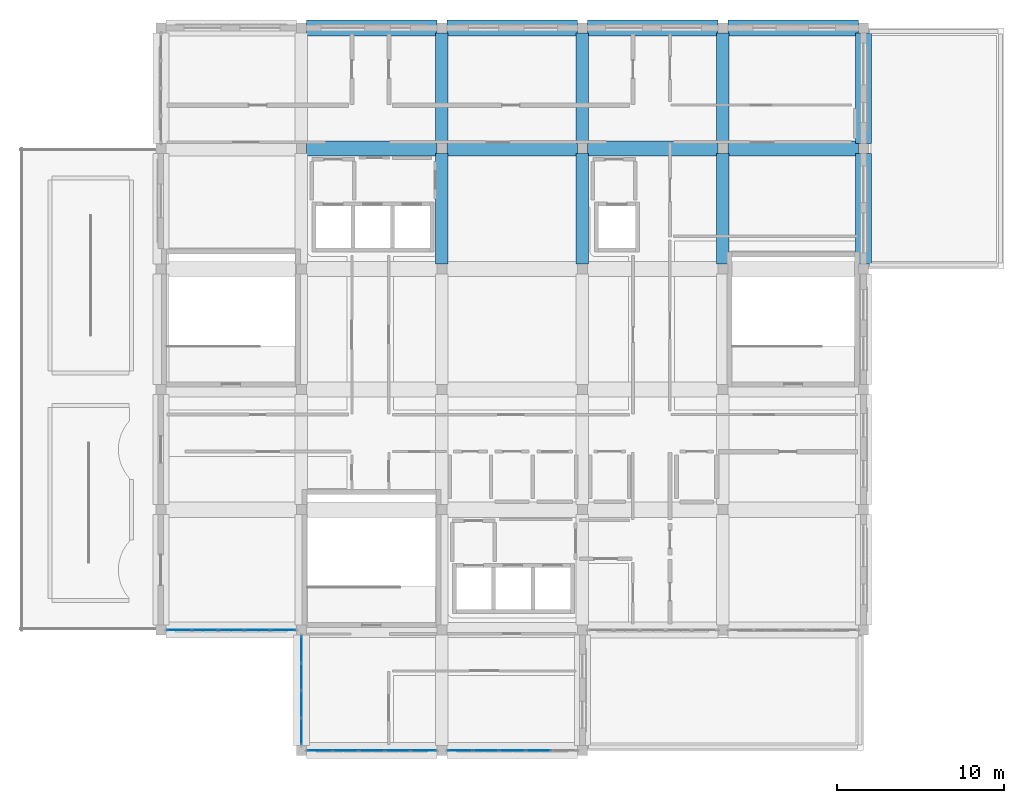
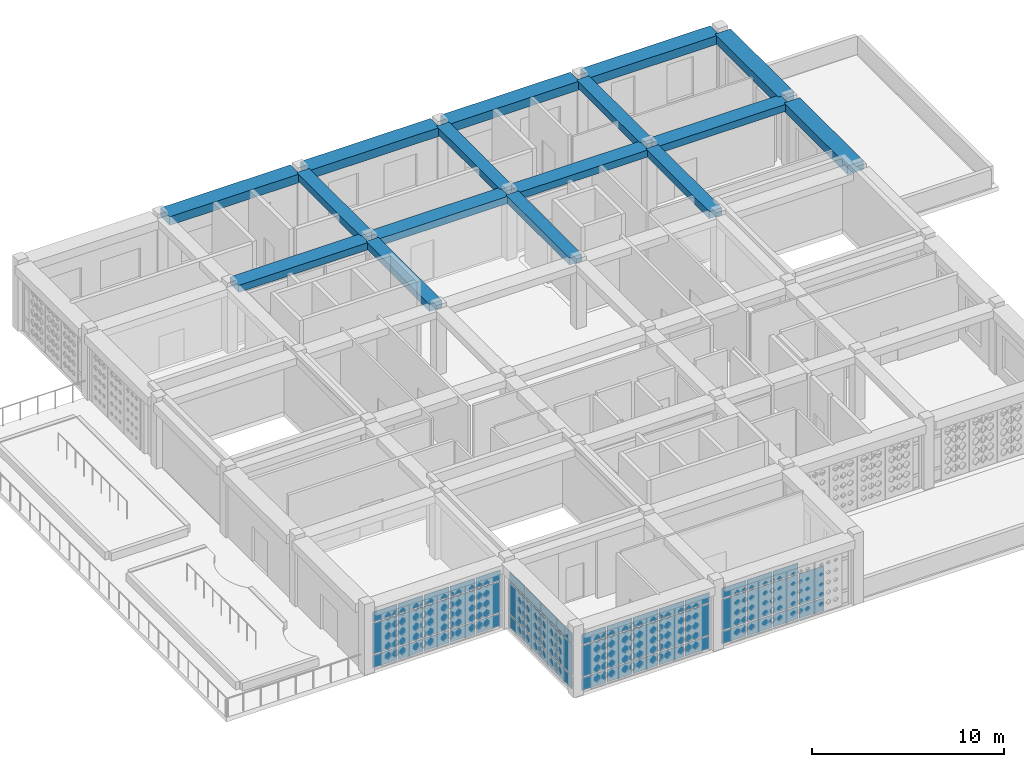
# One storey, part 10 of 28: 53 plates, 16 beams, 4 elements without a shape of their own.
"""IFC4 building model written with IfcOpenShell, lengths in metres."""

from ifc_helpers import new_model, si_unit, derived_unit, direction, frame, origin, origin_2d, place, context, subcontext, project, spatial, rectangle, extrude, material, layer, layer_set, material_profile, profile_set, type_object, element, aggregate, save


model = new_model("IFC4")

# Units and contexts
model_context = context("Model", 3, precision=1e-05, world=origin(), true_north=direction((0.0, 1.0)))
body_context = subcontext(model_context, "Body", "Model", "MODEL_VIEW")
ifc_project = project(units=[si_unit("LENGTHUNIT", "METRE"), si_unit("AREAUNIT", "SQUARE_METRE"), si_unit("VOLUMEUNIT", "CUBIC_METRE"), si_unit("PLANEANGLEUNIT", "RADIAN"), si_unit("MASSUNIT", "GRAM", prefix="KILO"), derived_unit("THERMALTRANSMITTANCEUNIT", [(si_unit("POWERUNIT", "WATT"), 1), (si_unit("LENGTHUNIT", "METRE"), -2), (si_unit("THERMODYNAMICTEMPERATUREUNIT", "KELVIN"), -1)])], contexts=[model_context])

# Site, building, storey
site_placement = place(None, origin())
site = spatial("IfcSite", under=ifc_project, at=site_placement, CompositionType="ELEMENT")
building_placement = place(site_placement, origin())
building = spatial("IfcBuilding", under=site, at=building_placement, Name="Veybourne Emporium", CompositionType="ELEMENT")
storey_placement = place(building_placement, frame((0.0, 0.0, 32.10009765625)))
storey = spatial("IfcBuildingStorey", under=building, at=storey_placement, Name="L07", CompositionType="ELEMENT", Elevation=32.10009765625)

# Beams
ifc_material_1 = material(Name="Concrete C32/40", Category="concrete")
ifc_material_profile_1 = material_profile(ifc_material_1, rectangle(XDim=0.89990234375, YDim=0.449951171875, at=origin_2d()), Name="RC 900x450")
ifc_profile_set_1 = profile_set([ifc_material_profile_1], Name="Concrete C32/40")
beam_type_1 = type_object("IfcBeamType", Name="RCBeam_BB-03", PredefinedType="BEAM", material=ifc_profile_set_1)
beam_1_placement = place(storey_placement, frame((17.10009765625, 43.199951171875, 4.014892578125), z_axis=(1.0, 0.0, 0.0), x_axis=(0.0, 1.0, 0.0)))
element("IfcBeam", 1, at=beam_1_placement, inside=storey, type_object=beam_type_1, Name="L07 X-grid beam BB-03 (2,6)", PredefinedType="BEAM", context=body_context, shape_type="SweptSolid", body=[
    extrude(rectangle(XDim=0.89990234375, YDim=0.449951171875, at=origin_2d()), origin(), (0.0, 0.0, 1.0), 7.7998046875),
])
for number, where, z_axis, x_axis, name in (
    (2, (25.5, 43.199951171875, 4.014892578125), (1.0, 0.0, 0.0), (0.0, 1.0, 0.0), "L07 X-grid beam BB-03 (3,6)"),
    (3, (33.89990234375, 43.199951171875, 4.014892578125), (1.0, 0.0, 0.0), (0.0, 1.0, 0.0), "L07 X-grid beam BB-03 (4,6)"),
    (4, (42.300048828125, 43.199951171875, 4.014892578125), (1.0, 0.0, 0.0), (0.0, 1.0, 0.0), "L07 X-grid beam BB-03 (5,6)"),
):
    element("IfcBeam", number, at=place(storey_placement, frame(where, z_axis=z_axis, x_axis=x_axis)), inside=storey, type_object=beam_type_1, Name=name, PredefinedType="BEAM", context=body_context, shape_type="SweptSolid", body=[
        extrude(rectangle(XDim=0.89990234375, YDim=0.449951171875, at=origin_2d()), origin(), (0.0, 0.0, 1.0), 7.800048828125),
    ])
ifc_material_profile_2 = material_profile(ifc_material_1, rectangle(XDim=0.75, YDim=0.449951171875, at=origin_2d()), Name="RC 750x450")
ifc_profile_set_2 = profile_set([ifc_material_profile_2], Name="Concrete C32/40")
beam_type_2 = type_object("IfcBeamType", Name="RCBeam_BB-04", PredefinedType="BEAM", material=ifc_profile_set_2)
beam_2_placement = place(storey_placement, frame((25.199951171875, 36.300048828125, 4.014892578125), z_axis=(0.0, 1.0, 0.0), x_axis=(-1.0, 0.0, 0.0)))
element("IfcBeam", 5, at=beam_2_placement, inside=storey, type_object=beam_type_2, Name="L07 Y-grid beam BB-04 (3,5)", PredefinedType="BEAM", context=body_context, shape_type="SweptSolid", body=[
    extrude(rectangle(XDim=0.75, YDim=0.449951171875, at=origin_2d()), origin(), (0.0, 0.0, 1.0), 6.599853515625),
])
beam_3_placement = place(storey_placement, frame((25.199951171875, 43.5, 4.014892578125), z_axis=(0.0, 1.0, 0.0), x_axis=(-1.0, 0.0, 0.0)))
element("IfcBeam", 6, at=beam_3_placement, inside=storey, type_object=beam_type_2, Name="L07 Y-grid beam BB-04 (3,6)", PredefinedType="BEAM", context=body_context, shape_type="SweptSolid", body=[
    extrude(rectangle(XDim=0.75, YDim=0.449951171875, at=origin_2d()), origin(), (0.0, 0.0, 1.0), 6.60009765625),
])
beam_4_placement = place(storey_placement, frame((33.60009765625, 36.300048828125, 4.014892578125), z_axis=(0.0, 1.0, 0.0), x_axis=(-1.0, 0.0, 0.0)))
element("IfcBeam", 7, at=beam_4_placement, inside=storey, type_object=beam_type_2, Name="L07 Y-grid beam BB-04 (4,5)", PredefinedType="BEAM", context=body_context, shape_type="SweptSolid", body=[
    extrude(rectangle(XDim=0.75, YDim=0.449951171875, at=origin_2d()), origin(), (0.0, 0.0, 1.0), 6.599853515625),
])
beam_5_placement = place(storey_placement, frame((33.60009765625, 43.5, 4.014892578125), z_axis=(0.0, 1.0, 0.0), x_axis=(-1.0, 0.0, 0.0)))
element("IfcBeam", 8, at=beam_5_placement, inside=storey, type_object=beam_type_2, Name="L07 Y-grid beam BB-04 (4,6)", PredefinedType="BEAM", context=body_context, shape_type="SweptSolid", body=[
    extrude(rectangle(XDim=0.75, YDim=0.449951171875, at=origin_2d()), origin(), (0.0, 0.0, 1.0), 6.60009765625),
])
beam_6_placement = place(storey_placement, frame((42.0, 36.300048828125, 4.014892578125), z_axis=(0.0, 1.0, 0.0), x_axis=(-1.0, 0.0, 0.0)))
element("IfcBeam", 9, at=beam_6_placement, inside=storey, type_object=beam_type_2, Name="L07 Y-grid beam BB-04 (5,5)", PredefinedType="BEAM", context=body_context, shape_type="SweptSolid", body=[
    extrude(rectangle(XDim=0.75, YDim=0.449951171875, at=origin_2d()), origin(), (0.0, 0.0, 1.0), 6.599853515625),
])
beam_7_placement = place(storey_placement, frame((42.0, 43.5, 4.014892578125), z_axis=(0.0, 1.0, 0.0), x_axis=(-1.0, 0.0, 0.0)))
element("IfcBeam", 10, at=beam_7_placement, inside=storey, type_object=beam_type_2, Name="L07 Y-grid beam BB-04 (5,6)", PredefinedType="BEAM", context=body_context, shape_type="SweptSolid", body=[
    extrude(rectangle(XDim=0.75, YDim=0.449951171875, at=origin_2d()), origin(), (0.0, 0.0, 1.0), 6.60009765625),
])
ifc_material_profile_3 = material_profile(ifc_material_1, rectangle(XDim=0.949951171875, YDim=0.550048828125, at=origin_2d()), Name="RC 950x550")
ifc_profile_set_3 = profile_set([ifc_material_profile_3], Name="Concrete C32/40")
beam_type_3 = type_object("IfcBeamType", Name="RCBeam_EB-01", PredefinedType="SPANDREL", material=ifc_profile_set_3)
beam_8_placement = place(storey_placement, frame((17.10009765625, 50.39990234375, 3.96484375), z_axis=(1.0, 0.0, 0.0), x_axis=(0.0, 1.0, 0.0)))
element("IfcBeam", 11, at=beam_8_placement, inside=storey, type_object=beam_type_3, Name="L07 X-grid beam EB-01 (2,7)", PredefinedType="SPANDREL", context=body_context, shape_type="SweptSolid", body=[
    extrude(rectangle(XDim=0.949951171875, YDim=0.550048828125, at=origin_2d()), origin(), (0.0, 0.0, 1.0), 7.7998046875),
])
for number, where, z_axis, x_axis, name in (
    (12, (25.5, 50.39990234375, 3.96484375), (1.0, 0.0, 0.0), (0.0, 1.0, 0.0), "L07 X-grid beam EB-01 (3,7)"),
    (13, (33.89990234375, 50.39990234375, 3.96484375), (1.0, 0.0, 0.0), (0.0, 1.0, 0.0), "L07 X-grid beam EB-01 (4,7)"),
    (14, (42.300048828125, 50.39990234375, 3.96484375), (1.0, 0.0, 0.0), (0.0, 1.0, 0.0), "L07 X-grid beam EB-01 (5,7)"),
):
    element("IfcBeam", number, at=place(storey_placement, frame(where, z_axis=z_axis, x_axis=x_axis)), inside=storey, type_object=beam_type_3, Name=name, PredefinedType="SPANDREL", context=body_context, shape_type="SweptSolid", body=[
        extrude(rectangle(XDim=0.949951171875, YDim=0.550048828125, at=origin_2d()), origin(), (0.0, 0.0, 1.0), 7.800048828125),
    ])
beam_9_placement = place(storey_placement, frame((50.39990234375, 36.300048828125, 3.96484375), z_axis=(0.0, 1.0, 0.0), x_axis=(-1.0, 0.0, 0.0)))
element("IfcBeam", 15, at=beam_9_placement, inside=storey, type_object=beam_type_3, Name="L07 Y-grid beam EB-01 (6,5)", PredefinedType="SPANDREL", context=body_context, shape_type="SweptSolid", body=[
    extrude(rectangle(XDim=0.949951171875, YDim=0.550048828125, at=origin_2d()), origin(), (0.0, 0.0, 1.0), 6.599853515625),
])
beam_10_placement = place(storey_placement, frame((50.39990234375, 43.5, 3.96484375), z_axis=(0.0, 1.0, 0.0), x_axis=(-1.0, 0.0, 0.0)))
element("IfcBeam", 16, at=beam_10_placement, inside=storey, type_object=beam_type_3, Name="L07 Y-grid beam EB-01 (6,6)", PredefinedType="SPANDREL", context=body_context, shape_type="SweptSolid", body=[
    extrude(rectangle(XDim=0.949951171875, YDim=0.550048828125, at=origin_2d()), origin(), (0.0, 0.0, 1.0), 6.60009765625),
])

# Curtain wall, plates
ifc_material_2 = material(Name="Patinated Architectural Bronze", Category="bronze")
curtain_wall_type_1 = type_object("IfcCurtainWallType", Name="CWSystem_CWS-18", PredefinedType="NOTDEFINED", material=ifc_material_2)
curtain_wall_1_placement = place(storey_placement, origin())
curtain_wall_1 = element("IfcCurtainWall", 17, at=curtain_wall_1_placement, inside=storey, type_object=curtain_wall_type_1, Name="L07 bronze glazed curtain wall CWS-18 (001)", PredefinedType="NOTDEFINED")
ifc_material_3 = material(Name="Low-E Triple Glazing", Category="glass")
ifc_layer = layer(ifc_material_3, 0.028076171875)
ifc_layer_set = layer_set([ifc_layer], Name="Low-E Triple Glazing")
plate_type = type_object("IfcPlateType", Name="CWPanel_CW-P1", PredefinedType="CURTAIN_PANEL", material=ifc_layer_set)
plate_1_placement = place(storey_placement, frame((15.701171875, 14.39990234375, 0.074951171875), z_axis=(0.0, 0.0, 1.0), x_axis=(-1.0, 0.0, 0.0)))
plate_1 = element("IfcPlate", 18, at=plate_1_placement, type_object=plate_type, Name="CWS-18 panel 1.1", PredefinedType="CURTAIN_PANEL", context=body_context, shape_type="SweptSolid", body=[
    extrude(rectangle(XDim=1.447509765625, YDim=0.028076171875, at=origin_2d()), origin(), (0.0, 0.0, 1.0), 0.78759765625),
])
plate_2_placement = place(storey_placement, frame((15.701171875, 14.39990234375, 0.9375), z_axis=(0.0, 0.0, 1.0), x_axis=(-1.0, 0.0, 0.0)))
plate_2 = element("IfcPlate", 19, at=plate_2_placement, type_object=plate_type, Name="CWS-18 panel 1.2", PredefinedType="CURTAIN_PANEL", context=body_context, shape_type="SweptSolid", body=[
    extrude(rectangle(XDim=1.447509765625, YDim=0.028076171875, at=origin_2d()), origin(), (0.0, 0.0, 1.0), 1.965087890625),
])
plate_3_placement = place(storey_placement, frame((15.701171875, 14.39990234375, 2.9775390625), z_axis=(0.0, 0.0, 1.0), x_axis=(-1.0, 0.0, 0.0)))
plate_3 = element("IfcPlate", 20, at=plate_3_placement, type_object=plate_type, Name="CWS-18 panel 1.3", PredefinedType="CURTAIN_PANEL", context=body_context, shape_type="SweptSolid", body=[
    extrude(rectangle(XDim=1.447509765625, YDim=0.028076171875, at=origin_2d()), origin(), (0.0, 0.0, 1.0), 0.637451171875),
])
plate_4_placement = place(storey_placement, frame((14.159912109375, 14.39990234375, 0.074951171875), z_axis=(0.0, 0.0, 1.0), x_axis=(-1.0, 0.0, 0.0)))
plate_4 = element("IfcPlate", 21, at=plate_4_placement, type_object=plate_type, Name="CWS-18 panel 2.1", PredefinedType="CURTAIN_PANEL", context=body_context, shape_type="SweptSolid", body=[
    extrude(rectangle(XDim=1.485107421875, YDim=0.028076171875, at=origin_2d()), origin(), (0.0, 0.0, 1.0), 0.78759765625),
])
plate_5_placement = place(storey_placement, frame((14.159912109375, 14.39990234375, 0.9375), z_axis=(0.0, 0.0, 1.0), x_axis=(-1.0, 0.0, 0.0)))
plate_5 = element("IfcPlate", 22, at=plate_5_placement, type_object=plate_type, Name="CWS-18 panel 2.2", PredefinedType="CURTAIN_PANEL", context=body_context, shape_type="SweptSolid", body=[
    extrude(rectangle(XDim=1.485107421875, YDim=0.028076171875, at=origin_2d()), origin(), (0.0, 0.0, 1.0), 1.965087890625),
])
plate_6_placement = place(storey_placement, frame((14.159912109375, 14.39990234375, 2.9775390625), z_axis=(0.0, 0.0, 1.0), x_axis=(-1.0, 0.0, 0.0)))
plate_6 = element("IfcPlate", 23, at=plate_6_placement, type_object=plate_type, Name="CWS-18 panel 2.3", PredefinedType="CURTAIN_PANEL", context=body_context, shape_type="SweptSolid", body=[
    extrude(rectangle(XDim=1.485107421875, YDim=0.028076171875, at=origin_2d()), origin(), (0.0, 0.0, 1.0), 0.637451171875),
])
plate_7_placement = place(storey_placement, frame((12.60009765625, 14.39990234375, 0.074951171875), z_axis=(0.0, 0.0, 1.0), x_axis=(-1.0, 0.0, 0.0)))
plate_7 = element("IfcPlate", 24, at=plate_7_placement, type_object=plate_type, Name="CWS-18 panel 3.1", PredefinedType="CURTAIN_PANEL", context=body_context, shape_type="SweptSolid", body=[
    extrude(rectangle(XDim=1.485107421875, YDim=0.028076171875, at=origin_2d()), origin(), (0.0, 0.0, 1.0), 0.78759765625),
])
plate_8_placement = place(storey_placement, frame((12.60009765625, 14.39990234375, 0.9375), z_axis=(0.0, 0.0, 1.0), x_axis=(-1.0, 0.0, 0.0)))
plate_8 = element("IfcPlate", 25, at=plate_8_placement, type_object=plate_type, Name="CWS-18 panel 3.2", PredefinedType="CURTAIN_PANEL", context=body_context, shape_type="SweptSolid", body=[
    extrude(rectangle(XDim=1.485107421875, YDim=0.028076171875, at=origin_2d()), origin(), (0.0, 0.0, 1.0), 1.965087890625),
])
plate_9_placement = place(storey_placement, frame((12.60009765625, 14.39990234375, 2.9775390625), z_axis=(0.0, 0.0, 1.0), x_axis=(-1.0, 0.0, 0.0)))
plate_9 = element("IfcPlate", 26, at=plate_9_placement, type_object=plate_type, Name="CWS-18 panel 3.3", PredefinedType="CURTAIN_PANEL", context=body_context, shape_type="SweptSolid", body=[
    extrude(rectangle(XDim=1.485107421875, YDim=0.028076171875, at=origin_2d()), origin(), (0.0, 0.0, 1.0), 0.637451171875),
])
plate_10_placement = place(storey_placement, frame((11.0400390625, 14.39990234375, 0.074951171875), z_axis=(0.0, 0.0, 1.0), x_axis=(-1.0, 0.0, 0.0)))
plate_10 = element("IfcPlate", 27, at=plate_10_placement, type_object=plate_type, Name="CWS-18 panel 4.1", PredefinedType="CURTAIN_PANEL", context=body_context, shape_type="SweptSolid", body=[
    extrude(rectangle(XDim=1.485107421875, YDim=0.028076171875, at=origin_2d()), origin(), (0.0, 0.0, 1.0), 0.78759765625),
])
plate_11_placement = place(storey_placement, frame((11.0400390625, 14.39990234375, 0.9375), z_axis=(0.0, 0.0, 1.0), x_axis=(-1.0, 0.0, 0.0)))
plate_11 = element("IfcPlate", 28, at=plate_11_placement, type_object=plate_type, Name="CWS-18 panel 4.2", PredefinedType="CURTAIN_PANEL", context=body_context, shape_type="SweptSolid", body=[
    extrude(rectangle(XDim=1.485107421875, YDim=0.028076171875, at=origin_2d()), origin(), (0.0, 0.0, 1.0), 1.965087890625),
])
plate_12_placement = place(storey_placement, frame((11.0400390625, 14.39990234375, 2.9775390625), z_axis=(0.0, 0.0, 1.0), x_axis=(-1.0, 0.0, 0.0)))
plate_12 = element("IfcPlate", 29, at=plate_12_placement, type_object=plate_type, Name="CWS-18 panel 4.3", PredefinedType="CURTAIN_PANEL", context=body_context, shape_type="SweptSolid", body=[
    extrude(rectangle(XDim=1.485107421875, YDim=0.028076171875, at=origin_2d()), origin(), (0.0, 0.0, 1.0), 0.637451171875),
])
plate_13_placement = place(storey_placement, frame((9.498779296875, 14.39990234375, 0.074951171875), z_axis=(0.0, 0.0, 1.0), x_axis=(-1.0, 0.0, 0.0)))
plate_13 = element("IfcPlate", 30, at=plate_13_placement, type_object=plate_type, Name="CWS-18 panel 5.1", PredefinedType="CURTAIN_PANEL", context=body_context, shape_type="SweptSolid", body=[
    extrude(rectangle(XDim=1.447509765625, YDim=0.028076171875, at=origin_2d()), origin(), (0.0, 0.0, 1.0), 0.78759765625),
])
plate_14_placement = place(storey_placement, frame((9.498779296875, 14.39990234375, 0.9375), z_axis=(0.0, 0.0, 1.0), x_axis=(-1.0, 0.0, 0.0)))
plate_14 = element("IfcPlate", 31, at=plate_14_placement, type_object=plate_type, Name="CWS-18 panel 5.2", PredefinedType="CURTAIN_PANEL", context=body_context, shape_type="SweptSolid", body=[
    extrude(rectangle(XDim=1.447509765625, YDim=0.028076171875, at=origin_2d()), origin(), (0.0, 0.0, 1.0), 1.965087890625),
])
plate_15_placement = place(storey_placement, frame((9.498779296875, 14.39990234375, 2.9775390625), z_axis=(0.0, 0.0, 1.0), x_axis=(-1.0, 0.0, 0.0)))
plate_15 = element("IfcPlate", 32, at=plate_15_placement, type_object=plate_type, Name="CWS-18 panel 5.3", PredefinedType="CURTAIN_PANEL", context=body_context, shape_type="SweptSolid", body=[
    extrude(rectangle(XDim=1.447509765625, YDim=0.028076171875, at=origin_2d()), origin(), (0.0, 0.0, 1.0), 0.637451171875),
])
aggregate(curtain_wall_1, [plate_1, plate_2, plate_3, plate_4, plate_5, plate_6, plate_7, plate_8, plate_9, plate_10, plate_11, plate_12, plate_13, plate_14, plate_15])

curtain_wall_type_2 = type_object("IfcCurtainWallType", Name="CWSystem_CWS-20", PredefinedType="NOTDEFINED", material=ifc_material_2)
curtain_wall_2_placement = place(storey_placement, origin())
curtain_wall_2 = element("IfcCurtainWall", 33, at=curtain_wall_2_placement, inside=storey, type_object=curtain_wall_type_2, Name="L07 bronze glazed curtain wall CWS-20 (008)", PredefinedType="NOTDEFINED")
plate_16_placement = place(storey_placement, frame((24.1025390625, 7.199951171875, 0.06982421875), z_axis=(0.0, 0.0, 1.0), x_axis=(-1.0, 0.0, 0.0)))
plate_16 = element("IfcPlate", 34, at=plate_16_placement, type_object=plate_type, Name="CWS-20 panel 1.1", PredefinedType="CURTAIN_PANEL", context=body_context, shape_type="SweptSolid", body=[
    extrude(rectangle(XDim=1.455078125, YDim=0.028076171875, at=origin_2d()), origin(), (0.0, 0.0, 1.0), 0.794921875),
])
plate_17_placement = place(storey_placement, frame((24.1025390625, 7.199951171875, 0.93505859375), z_axis=(0.0, 0.0, 1.0), x_axis=(-1.0, 0.0, 0.0)))
plate_17 = element("IfcPlate", 35, at=plate_17_placement, type_object=plate_type, Name="CWS-20 panel 1.2", PredefinedType="CURTAIN_PANEL", context=body_context, shape_type="SweptSolid", body=[
    extrude(rectangle(XDim=1.455078125, YDim=0.028076171875, at=origin_2d()), origin(), (0.0, 0.0, 1.0), 1.969970703125),
])
plate_18_placement = place(storey_placement, frame((24.1025390625, 7.199951171875, 2.974853515625), z_axis=(0.0, 0.0, 1.0), x_axis=(-1.0, 0.0, 0.0)))
plate_18 = element("IfcPlate", 36, at=plate_18_placement, type_object=plate_type, Name="CWS-20 panel 1.3", PredefinedType="CURTAIN_PANEL", context=body_context, shape_type="SweptSolid", body=[
    extrude(rectangle(XDim=1.455078125, YDim=0.028076171875, at=origin_2d()), origin(), (0.0, 0.0, 1.0), 0.64501953125),
])
plate_19_placement = place(storey_placement, frame((22.56005859375, 7.199951171875, 0.06982421875), z_axis=(0.0, 0.0, 1.0), x_axis=(-1.0, 0.0, 0.0)))
plate_19 = element("IfcPlate", 37, at=plate_19_placement, type_object=plate_type, Name="CWS-20 panel 2.1", PredefinedType="CURTAIN_PANEL", context=body_context, shape_type="SweptSolid", body=[
    extrude(rectangle(XDim=1.489990234375, YDim=0.028076171875, at=origin_2d()), origin(), (0.0, 0.0, 1.0), 0.794921875),
])
plate_20_placement = place(storey_placement, frame((22.56005859375, 7.199951171875, 0.93505859375), z_axis=(0.0, 0.0, 1.0), x_axis=(-1.0, 0.0, 0.0)))
plate_20 = element("IfcPlate", 38, at=plate_20_placement, type_object=plate_type, Name="CWS-20 panel 2.2", PredefinedType="CURTAIN_PANEL", context=body_context, shape_type="SweptSolid", body=[
    extrude(rectangle(XDim=1.489990234375, YDim=0.028076171875, at=origin_2d()), origin(), (0.0, 0.0, 1.0), 1.969970703125),
])
plate_21_placement = place(storey_placement, frame((22.56005859375, 7.199951171875, 2.974853515625), z_axis=(0.0, 0.0, 1.0), x_axis=(-1.0, 0.0, 0.0)))
plate_21 = element("IfcPlate", 39, at=plate_21_placement, type_object=plate_type, Name="CWS-20 panel 2.3", PredefinedType="CURTAIN_PANEL", context=body_context, shape_type="SweptSolid", body=[
    extrude(rectangle(XDim=1.489990234375, YDim=0.028076171875, at=origin_2d()), origin(), (0.0, 0.0, 1.0), 0.64501953125),
])
plate_22_placement = place(storey_placement, frame((21.0, 7.199951171875, 0.06982421875), z_axis=(0.0, 0.0, 1.0), x_axis=(-1.0, 0.0, 0.0)))
plate_22 = element("IfcPlate", 40, at=plate_22_placement, type_object=plate_type, Name="CWS-20 panel 3.1", PredefinedType="CURTAIN_PANEL", context=body_context, shape_type="SweptSolid", body=[
    extrude(rectangle(XDim=1.489990234375, YDim=0.028076171875, at=origin_2d()), origin(), (0.0, 0.0, 1.0), 0.794921875),
])
plate_23_placement = place(storey_placement, frame((21.0, 7.199951171875, 0.93505859375), z_axis=(0.0, 0.0, 1.0), x_axis=(-1.0, 0.0, 0.0)))
plate_23 = element("IfcPlate", 41, at=plate_23_placement, type_object=plate_type, Name="CWS-20 panel 3.2", PredefinedType="CURTAIN_PANEL", context=body_context, shape_type="SweptSolid", body=[
    extrude(rectangle(XDim=1.489990234375, YDim=0.028076171875, at=origin_2d()), origin(), (0.0, 0.0, 1.0), 1.969970703125),
])
plate_24_placement = place(storey_placement, frame((21.0, 7.199951171875, 2.974853515625), z_axis=(0.0, 0.0, 1.0), x_axis=(-1.0, 0.0, 0.0)))
plate_24 = element("IfcPlate", 42, at=plate_24_placement, type_object=plate_type, Name="CWS-20 panel 3.3", PredefinedType="CURTAIN_PANEL", context=body_context, shape_type="SweptSolid", body=[
    extrude(rectangle(XDim=1.489990234375, YDim=0.028076171875, at=origin_2d()), origin(), (0.0, 0.0, 1.0), 0.64501953125),
])
plate_25_placement = place(storey_placement, frame((19.43994140625, 7.199951171875, 0.06982421875), z_axis=(0.0, 0.0, 1.0), x_axis=(-1.0, 0.0, 0.0)))
plate_25 = element("IfcPlate", 43, at=plate_25_placement, type_object=plate_type, Name="CWS-20 panel 4.1", PredefinedType="CURTAIN_PANEL", context=body_context, shape_type="SweptSolid", body=[
    extrude(rectangle(XDim=1.489990234375, YDim=0.028076171875, at=origin_2d()), origin(), (0.0, 0.0, 1.0), 0.794921875),
])
plate_26_placement = place(storey_placement, frame((19.43994140625, 7.199951171875, 0.93505859375), z_axis=(0.0, 0.0, 1.0), x_axis=(-1.0, 0.0, 0.0)))
plate_26 = element("IfcPlate", 44, at=plate_26_placement, type_object=plate_type, Name="CWS-20 panel 4.2", PredefinedType="CURTAIN_PANEL", context=body_context, shape_type="SweptSolid", body=[
    extrude(rectangle(XDim=1.489990234375, YDim=0.028076171875, at=origin_2d()), origin(), (0.0, 0.0, 1.0), 1.969970703125),
])
plate_27_placement = place(storey_placement, frame((19.43994140625, 7.199951171875, 2.974853515625), z_axis=(0.0, 0.0, 1.0), x_axis=(-1.0, 0.0, 0.0)))
plate_27 = element("IfcPlate", 45, at=plate_27_placement, type_object=plate_type, Name="CWS-20 panel 4.3", PredefinedType="CURTAIN_PANEL", context=body_context, shape_type="SweptSolid", body=[
    extrude(rectangle(XDim=1.489990234375, YDim=0.028076171875, at=origin_2d()), origin(), (0.0, 0.0, 1.0), 0.64501953125),
])
plate_28_placement = place(storey_placement, frame((17.8974609375, 7.199951171875, 0.06982421875), z_axis=(0.0, 0.0, 1.0), x_axis=(-1.0, 0.0, 0.0)))
plate_28 = element("IfcPlate", 46, at=plate_28_placement, type_object=plate_type, Name="CWS-20 panel 5.1", PredefinedType="CURTAIN_PANEL", context=body_context, shape_type="SweptSolid", body=[
    extrude(rectangle(XDim=1.455078125, YDim=0.028076171875, at=origin_2d()), origin(), (0.0, 0.0, 1.0), 0.794921875),
])
plate_29_placement = place(storey_placement, frame((17.8974609375, 7.199951171875, 0.93505859375), z_axis=(0.0, 0.0, 1.0), x_axis=(-1.0, 0.0, 0.0)))
plate_29 = element("IfcPlate", 47, at=plate_29_placement, type_object=plate_type, Name="CWS-20 panel 5.2", PredefinedType="CURTAIN_PANEL", context=body_context, shape_type="SweptSolid", body=[
    extrude(rectangle(XDim=1.455078125, YDim=0.028076171875, at=origin_2d()), origin(), (0.0, 0.0, 1.0), 1.969970703125),
])
plate_30_placement = place(storey_placement, frame((17.8974609375, 7.199951171875, 2.974853515625), z_axis=(0.0, 0.0, 1.0), x_axis=(-1.0, 0.0, 0.0)))
plate_30 = element("IfcPlate", 48, at=plate_30_placement, type_object=plate_type, Name="CWS-20 panel 5.3", PredefinedType="CURTAIN_PANEL", context=body_context, shape_type="SweptSolid", body=[
    extrude(rectangle(XDim=1.455078125, YDim=0.028076171875, at=origin_2d()), origin(), (0.0, 0.0, 1.0), 0.64501953125),
])
aggregate(curtain_wall_2, [plate_16, plate_17, plate_18, plate_19, plate_20, plate_21, plate_22, plate_23, plate_24, plate_25, plate_26, plate_27, plate_28, plate_29, plate_30])

curtain_wall_type_3 = type_object("IfcCurtainWallType", Name="CWSystem_CWS-21", PredefinedType="NOTDEFINED", material=ifc_material_2)
curtain_wall_3_placement = place(storey_placement, origin())
curtain_wall_3 = element("IfcCurtainWall", 49, at=curtain_wall_3_placement, inside=storey, type_object=curtain_wall_type_3, Name="L07 bronze glazed curtain wall CWS-21 (009)", PredefinedType="NOTDEFINED")
plate_31_placement = place(storey_placement, frame((16.800048828125, 8.343017578125, 0.072021484375), z_axis=(0.0, 0.0, 1.0), x_axis=(0.0, 1.0, 0.0)))
plate_31 = element("IfcPlate", 50, at=plate_31_placement, type_object=plate_type, Name="CWS-21 panel 1.1", PredefinedType="CURTAIN_PANEL", context=body_context, shape_type="SweptSolid", body=[
    extrude(rectangle(XDim=1.5419921875, YDim=0.028076171875, at=origin_2d()), origin(), (0.0, 0.0, 1.0), 0.7919921875),
])
plate_32_placement = place(storey_placement, frame((16.800048828125, 8.343017578125, 0.93603515625), z_axis=(0.0, 0.0, 1.0), x_axis=(0.0, 1.0, 0.0)))
plate_32 = element("IfcPlate", 51, at=plate_32_placement, type_object=plate_type, Name="CWS-21 panel 1.2", PredefinedType="CURTAIN_PANEL", context=body_context, shape_type="SweptSolid", body=[
    extrude(rectangle(XDim=1.5419921875, YDim=0.028076171875, at=origin_2d()), origin(), (0.0, 0.0, 1.0), 1.968017578125),
])
plate_33_placement = place(storey_placement, frame((16.800048828125, 8.343017578125, 2.975830078125), z_axis=(0.0, 0.0, 1.0), x_axis=(0.0, 1.0, 0.0)))
plate_33 = element("IfcPlate", 52, at=plate_33_placement, type_object=plate_type, Name="CWS-21 panel 1.3", PredefinedType="CURTAIN_PANEL", context=body_context, shape_type="SweptSolid", body=[
    extrude(rectangle(XDim=1.5419921875, YDim=0.028076171875, at=origin_2d()), origin(), (0.0, 0.0, 1.0), 0.64208984375),
])
plate_34_placement = place(storey_placement, frame((16.800048828125, 9.97509765625, 0.072021484375), z_axis=(0.0, 0.0, 1.0), x_axis=(0.0, 1.0, 0.0)))
plate_34 = element("IfcPlate", 53, at=plate_34_placement, type_object=plate_type, Name="CWS-21 panel 2.1", PredefinedType="CURTAIN_PANEL", context=body_context, shape_type="SweptSolid", body=[
    extrude(rectangle(XDim=1.577880859375, YDim=0.028076171875, at=origin_2d()), origin(), (0.0, 0.0, 1.0), 0.7919921875),
])
plate_35_placement = place(storey_placement, frame((16.800048828125, 9.97509765625, 0.93603515625), z_axis=(0.0, 0.0, 1.0), x_axis=(0.0, 1.0, 0.0)))
plate_35 = element("IfcPlate", 54, at=plate_35_placement, type_object=plate_type, Name="CWS-21 panel 2.2", PredefinedType="CURTAIN_PANEL", context=body_context, shape_type="SweptSolid", body=[
    extrude(rectangle(XDim=1.577880859375, YDim=0.028076171875, at=origin_2d()), origin(), (0.0, 0.0, 1.0), 1.968017578125),
])
plate_36_placement = place(storey_placement, frame((16.800048828125, 9.97509765625, 2.975830078125), z_axis=(0.0, 0.0, 1.0), x_axis=(0.0, 1.0, 0.0)))
plate_36 = element("IfcPlate", 55, at=plate_36_placement, type_object=plate_type, Name="CWS-21 panel 2.3", PredefinedType="CURTAIN_PANEL", context=body_context, shape_type="SweptSolid", body=[
    extrude(rectangle(XDim=1.577880859375, YDim=0.028076171875, at=origin_2d()), origin(), (0.0, 0.0, 1.0), 0.64208984375),
])
plate_37_placement = place(storey_placement, frame((16.800048828125, 11.625, 0.072021484375), z_axis=(0.0, 0.0, 1.0), x_axis=(0.0, 1.0, 0.0)))
plate_37 = element("IfcPlate", 56, at=plate_37_placement, type_object=plate_type, Name="CWS-21 panel 3.1", PredefinedType="CURTAIN_PANEL", context=body_context, shape_type="SweptSolid", body=[
    extrude(rectangle(XDim=1.577880859375, YDim=0.028076171875, at=origin_2d()), origin(), (0.0, 0.0, 1.0), 0.7919921875),
])
plate_38_placement = place(storey_placement, frame((16.800048828125, 11.625, 0.93603515625), z_axis=(0.0, 0.0, 1.0), x_axis=(0.0, 1.0, 0.0)))
plate_38 = element("IfcPlate", 57, at=plate_38_placement, type_object=plate_type, Name="CWS-21 panel 3.2", PredefinedType="CURTAIN_PANEL", context=body_context, shape_type="SweptSolid", body=[
    extrude(rectangle(XDim=1.577880859375, YDim=0.028076171875, at=origin_2d()), origin(), (0.0, 0.0, 1.0), 1.968017578125),
])
plate_39_placement = place(storey_placement, frame((16.800048828125, 11.625, 2.975830078125), z_axis=(0.0, 0.0, 1.0), x_axis=(0.0, 1.0, 0.0)))
plate_39 = element("IfcPlate", 58, at=plate_39_placement, type_object=plate_type, Name="CWS-21 panel 3.3", PredefinedType="CURTAIN_PANEL", context=body_context, shape_type="SweptSolid", body=[
    extrude(rectangle(XDim=1.577880859375, YDim=0.028076171875, at=origin_2d()), origin(), (0.0, 0.0, 1.0), 0.64208984375),
])
plate_40_placement = place(storey_placement, frame((16.800048828125, 13.257080078125, 0.072021484375), z_axis=(0.0, 0.0, 1.0), x_axis=(0.0, 1.0, 0.0)))
plate_40 = element("IfcPlate", 59, at=plate_40_placement, type_object=plate_type, Name="CWS-21 panel 4.1", PredefinedType="CURTAIN_PANEL", context=body_context, shape_type="SweptSolid", body=[
    extrude(rectangle(XDim=1.5419921875, YDim=0.028076171875, at=origin_2d()), origin(), (0.0, 0.0, 1.0), 0.7919921875),
])
plate_41_placement = place(storey_placement, frame((16.800048828125, 13.257080078125, 0.93603515625), z_axis=(0.0, 0.0, 1.0), x_axis=(0.0, 1.0, 0.0)))
plate_41 = element("IfcPlate", 60, at=plate_41_placement, type_object=plate_type, Name="CWS-21 panel 4.2", PredefinedType="CURTAIN_PANEL", context=body_context, shape_type="SweptSolid", body=[
    extrude(rectangle(XDim=1.5419921875, YDim=0.028076171875, at=origin_2d()), origin(), (0.0, 0.0, 1.0), 1.968017578125),
])
plate_42_placement = place(storey_placement, frame((16.800048828125, 13.257080078125, 2.975830078125), z_axis=(0.0, 0.0, 1.0), x_axis=(0.0, 1.0, 0.0)))
plate_42 = element("IfcPlate", 61, at=plate_42_placement, type_object=plate_type, Name="CWS-21 panel 4.3", PredefinedType="CURTAIN_PANEL", context=body_context, shape_type="SweptSolid", body=[
    extrude(rectangle(XDim=1.5419921875, YDim=0.028076171875, at=origin_2d()), origin(), (0.0, 0.0, 1.0), 0.64208984375),
])
aggregate(curtain_wall_3, [plate_31, plate_32, plate_33, plate_34, plate_35, plate_36, plate_37, plate_38, plate_39, plate_40, plate_41, plate_42])

curtain_wall_type_4 = type_object("IfcCurtainWallType", Name="CWSystem_CWS-22", PredefinedType="NOTDEFINED", material=ifc_material_2)
curtain_wall_4_placement = place(storey_placement, origin())
curtain_wall_4 = element("IfcCurtainWall", 62, at=curtain_wall_4_placement, inside=storey, type_object=curtain_wall_type_4, Name="L07 bronze glazed curtain wall CWS-22 (011)", PredefinedType="NOTDEFINED")
plate_43_placement = place(storey_placement, frame((30.9599609375, 7.199951171875, 0.074951171875), z_axis=(0.0, 0.0, 1.0), x_axis=(-1.0, 0.0, 0.0)))
plate_43 = element("IfcPlate", 63, at=plate_43_placement, type_object=plate_type, Name="CWS-22 panel 2.1", PredefinedType="CURTAIN_PANEL", context=body_context, shape_type="SweptSolid", body=[
    extrude(rectangle(XDim=1.485107421875, YDim=0.028076171875, at=origin_2d()), origin(), (0.0, 0.0, 1.0), 0.78759765625),
])
plate_44_placement = place(storey_placement, frame((30.9599609375, 7.199951171875, 0.9375), z_axis=(0.0, 0.0, 1.0), x_axis=(-1.0, 0.0, 0.0)))
plate_44 = element("IfcPlate", 64, at=plate_44_placement, type_object=plate_type, Name="CWS-22 panel 2.2", PredefinedType="CURTAIN_PANEL", context=body_context, shape_type="SweptSolid", body=[
    extrude(rectangle(XDim=1.485107421875, YDim=0.028076171875, at=origin_2d()), origin(), (0.0, 0.0, 1.0), 1.965087890625),
])
plate_45_placement = place(storey_placement, frame((29.39990234375, 7.199951171875, 0.074951171875), z_axis=(0.0, 0.0, 1.0), x_axis=(-1.0, 0.0, 0.0)))
plate_45 = element("IfcPlate", 65, at=plate_45_placement, type_object=plate_type, Name="CWS-22 panel 3.1", PredefinedType="CURTAIN_PANEL", context=body_context, shape_type="SweptSolid", body=[
    extrude(rectangle(XDim=1.485107421875, YDim=0.028076171875, at=origin_2d()), origin(), (0.0, 0.0, 1.0), 0.78759765625),
])
plate_46_placement = place(storey_placement, frame((29.39990234375, 7.199951171875, 0.9375), z_axis=(0.0, 0.0, 1.0), x_axis=(-1.0, 0.0, 0.0)))
plate_46 = element("IfcPlate", 66, at=plate_46_placement, type_object=plate_type, Name="CWS-22 panel 3.2", PredefinedType="CURTAIN_PANEL", context=body_context, shape_type="SweptSolid", body=[
    extrude(rectangle(XDim=1.485107421875, YDim=0.028076171875, at=origin_2d()), origin(), (0.0, 0.0, 1.0), 1.965087890625),
])
plate_47_placement = place(storey_placement, frame((29.39990234375, 7.199951171875, 2.9775390625), z_axis=(0.0, 0.0, 1.0), x_axis=(-1.0, 0.0, 0.0)))
plate_47 = element("IfcPlate", 67, at=plate_47_placement, type_object=plate_type, Name="CWS-22 panel 3.3", PredefinedType="CURTAIN_PANEL", context=body_context, shape_type="SweptSolid", body=[
    extrude(rectangle(XDim=1.485107421875, YDim=0.028076171875, at=origin_2d()), origin(), (0.0, 0.0, 1.0), 0.637451171875),
])
plate_48_placement = place(storey_placement, frame((27.840087890625, 7.199951171875, 0.074951171875), z_axis=(0.0, 0.0, 1.0), x_axis=(-1.0, 0.0, 0.0)))
plate_48 = element("IfcPlate", 68, at=plate_48_placement, type_object=plate_type, Name="CWS-22 panel 4.1", PredefinedType="CURTAIN_PANEL", context=body_context, shape_type="SweptSolid", body=[
    extrude(rectangle(XDim=1.485107421875, YDim=0.028076171875, at=origin_2d()), origin(), (0.0, 0.0, 1.0), 0.78759765625),
])
plate_49_placement = place(storey_placement, frame((27.840087890625, 7.199951171875, 0.9375), z_axis=(0.0, 0.0, 1.0), x_axis=(-1.0, 0.0, 0.0)))
plate_49 = element("IfcPlate", 69, at=plate_49_placement, type_object=plate_type, Name="CWS-22 panel 4.2", PredefinedType="CURTAIN_PANEL", context=body_context, shape_type="SweptSolid", body=[
    extrude(rectangle(XDim=1.485107421875, YDim=0.028076171875, at=origin_2d()), origin(), (0.0, 0.0, 1.0), 1.965087890625),
])
plate_50_placement = place(storey_placement, frame((27.840087890625, 7.199951171875, 2.9775390625), z_axis=(0.0, 0.0, 1.0), x_axis=(-1.0, 0.0, 0.0)))
plate_50 = element("IfcPlate", 70, at=plate_50_placement, type_object=plate_type, Name="CWS-22 panel 4.3", PredefinedType="CURTAIN_PANEL", context=body_context, shape_type="SweptSolid", body=[
    extrude(rectangle(XDim=1.485107421875, YDim=0.028076171875, at=origin_2d()), origin(), (0.0, 0.0, 1.0), 0.637451171875),
])
plate_51_placement = place(storey_placement, frame((26.298828125, 7.199951171875, 0.074951171875), z_axis=(0.0, 0.0, 1.0), x_axis=(-1.0, 0.0, 0.0)))
plate_51 = element("IfcPlate", 71, at=plate_51_placement, type_object=plate_type, Name="CWS-22 panel 5.1", PredefinedType="CURTAIN_PANEL", context=body_context, shape_type="SweptSolid", body=[
    extrude(rectangle(XDim=1.447509765625, YDim=0.028076171875, at=origin_2d()), origin(), (0.0, 0.0, 1.0), 0.78759765625),
])
plate_52_placement = place(storey_placement, frame((26.298828125, 7.199951171875, 0.9375), z_axis=(0.0, 0.0, 1.0), x_axis=(-1.0, 0.0, 0.0)))
plate_52 = element("IfcPlate", 72, at=plate_52_placement, type_object=plate_type, Name="CWS-22 panel 5.2", PredefinedType="CURTAIN_PANEL", context=body_context, shape_type="SweptSolid", body=[
    extrude(rectangle(XDim=1.447509765625, YDim=0.028076171875, at=origin_2d()), origin(), (0.0, 0.0, 1.0), 1.965087890625),
])
plate_53_placement = place(storey_placement, frame((26.298828125, 7.199951171875, 2.9775390625), z_axis=(0.0, 0.0, 1.0), x_axis=(-1.0, 0.0, 0.0)))
plate_53 = element("IfcPlate", 73, at=plate_53_placement, type_object=plate_type, Name="CWS-22 panel 5.3", PredefinedType="CURTAIN_PANEL", context=body_context, shape_type="SweptSolid", body=[
    extrude(rectangle(XDim=1.447509765625, YDim=0.028076171875, at=origin_2d()), origin(), (0.0, 0.0, 1.0), 0.637451171875),
])
aggregate(curtain_wall_4, [plate_43, plate_44, plate_45, plate_46, plate_47, plate_48, plate_49, plate_50, plate_51, plate_52, plate_53])

save(model, "model.ifc")
